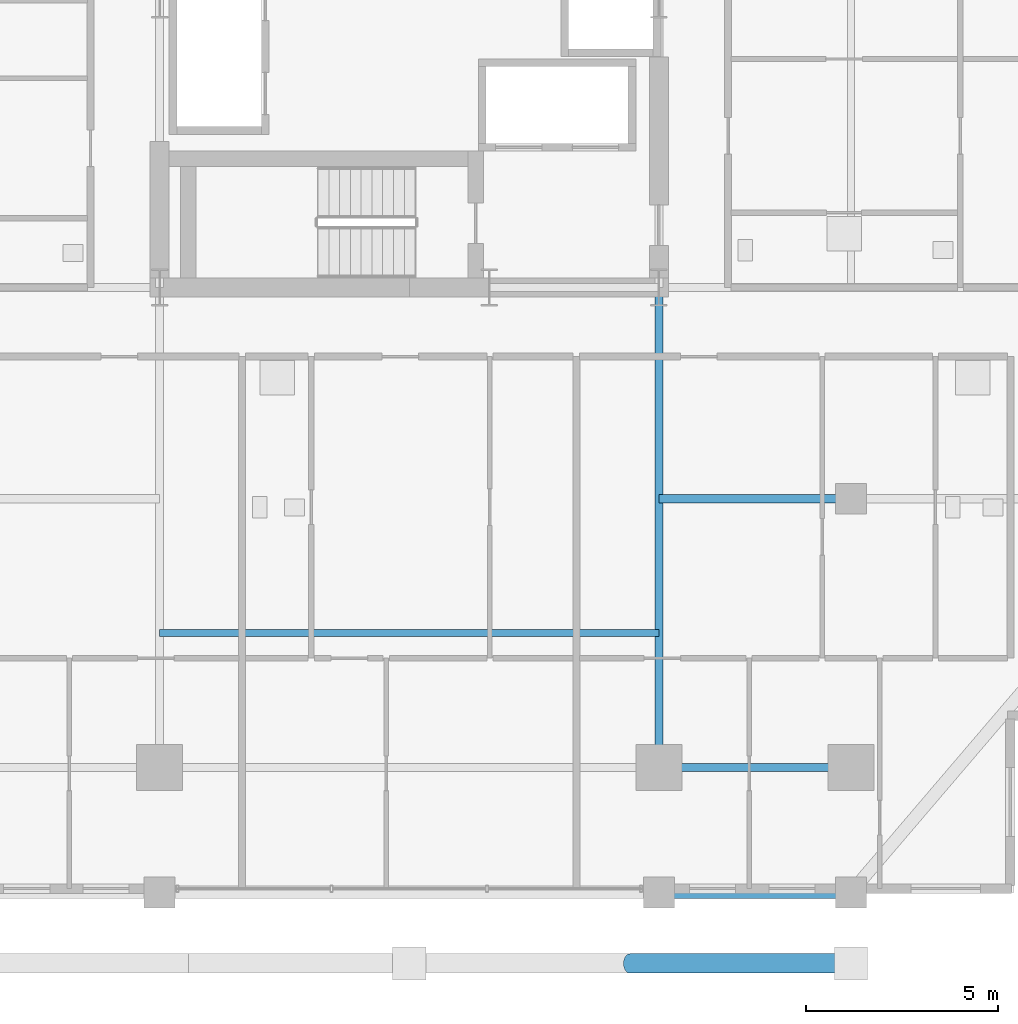
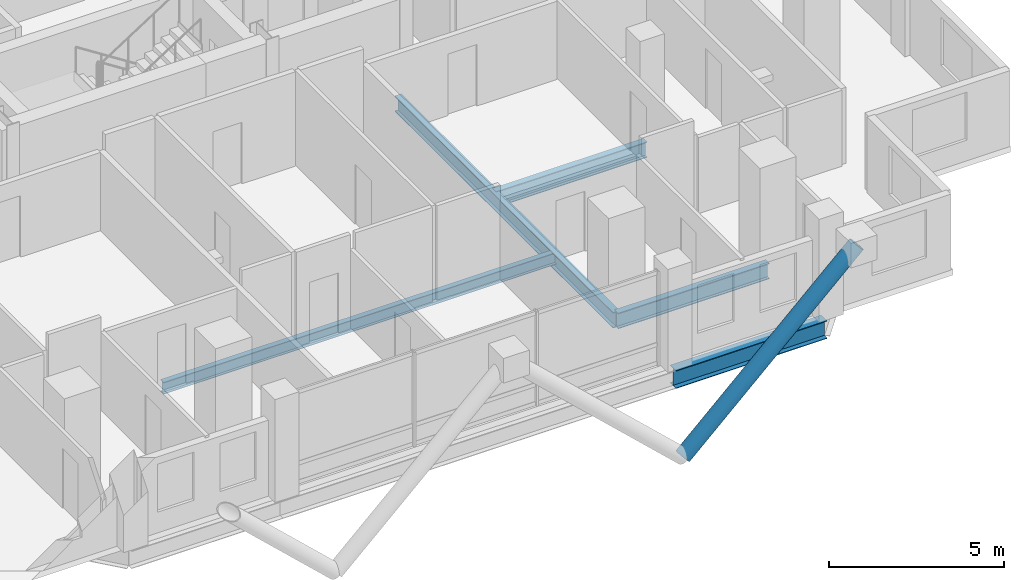
# One storey, part 3 of 23: 5 beams, 1 member.
"""IFC4 building model written with IfcOpenShell, lengths in metres."""

from ifc_helpers import new_model, si_unit, direction, frame, origin, origin_2d, place, context, subcontext, project, spatial, hollow_circle, i_section, extrude, material, material_profile, profile_set, type_object, element, save


model = new_model("IFC4")

# Units and contexts
model_context = context("Model", 3, precision=1e-05, world=origin(), true_north=direction((0.0, 1.0)))
body_context = subcontext(model_context, "Body", "Model", "MODEL_VIEW")
ifc_project = project(units=[si_unit("LENGTHUNIT", "METRE"), si_unit("AREAUNIT", "SQUARE_METRE"), si_unit("VOLUMEUNIT", "CUBIC_METRE"), si_unit("PLANEANGLEUNIT", "RADIAN"), si_unit("MASSUNIT", "GRAM", prefix="KILO")], contexts=[model_context])

# Site, building, storey
site_placement = place(None, origin())
site = spatial("IfcSite", under=ifc_project, at=site_placement, CompositionType="ELEMENT")
building_placement = place(site_placement, origin())
building = spatial("IfcBuilding", under=site, at=building_placement, Name="Barlavira Tower and Art Museum", CompositionType="ELEMENT")
storey_placement = place(building_placement, frame((0.0, 0.0, 117.0)))
storey = spatial("IfcBuildingStorey", under=building, at=storey_placement, Name="L29", CompositionType="ELEMENT", Elevation=117.0)

# Member
ifc_material = material(Name="Steel S355", Category="steel")
ifc_material_profile_1 = material_profile(ifc_material, hollow_circle(Radius=0.25390625, WallThickness=0.022216796875, at=origin_2d()), Name="CHS 508.0x22.2")
ifc_profile_set_1 = profile_set([ifc_material_profile_1], Name="Steel S355")
member_type = type_object("IfcMemberType", Name="Pale-Metal Exoskeleton Diagrid Tube CHS 508x22 Steel S355", PredefinedType="BRACE", material=ifc_profile_set_1)
member_placement = place(storey_placement, frame((5.75, -25.10009765625, -1.919921875), z_axis=(0.728950095515, 0.0, 0.684566839869), x_axis=(0.0, 1.0, 0.0)))
element("IfcMember", 1, at=member_placement, inside=storey, type_object=member_type, Name="L29 Exoskeleton Diagrid Tube S", PredefinedType="BRACE", context=body_context, shape_type="SweptSolid", body=[
    extrude(hollow_circle(Radius=0.25390625, WallThickness=0.022216796875, at=origin_2d()), origin(), (0.0, 0.0, 1.0), 7.887939453125),
])

# Beams
ifc_material_profile_2 = material_profile(ifc_material, i_section(OverallWidth=0.327880859375, OverallDepth=0.62890625, WebThickness=0.013916015625, FlangeThickness=0.021484375, at=origin_2d()), Name="W610x174.0")
ifc_profile_set_2 = profile_set([ifc_material_profile_2], Name="Steel S355")
beam_type_1 = type_object("IfcBeamType", Name="Perimeter Spandrel Edge Beam W610x174 Steel S355", PredefinedType="SPANDREL", material=ifc_profile_set_2)
beam_1_placement = place(storey_placement, frame((6.5, -23.25, -0.534423828125), z_axis=(1.0, 0.0, 0.0), x_axis=(0.0, 1.0, 0.0)))
element("IfcBeam", 2, at=beam_1_placement, inside=storey, type_object=beam_type_1, Name="L29 Spandrel 3", PredefinedType="SPANDREL", context=body_context, shape_type="SweptSolid", body=[
    extrude(i_section(OverallWidth=0.327880859375, OverallDepth=0.62890625, WebThickness=0.013916015625, FlangeThickness=0.021484375, at=origin_2d()), origin(), (0.0, 0.0, 1.0), 5.0),
])
ifc_material_profile_3 = material_profile(ifc_material, i_section(OverallWidth=0.214111328125, OverallDepth=0.549072265625, WebThickness=0.0146484375, FlangeThickness=0.023681640625, at=origin_2d()), Name="W530x138.0")
ifc_profile_set_3 = profile_set([ifc_material_profile_3], Name="Steel S355")
beam_type_2 = type_object("IfcBeamType", Name="Zone 1 Primary Floor Girder W530x138 Steel S355", PredefinedType="BEAM", material=ifc_profile_set_3)
beam_2_placement = place(storey_placement, frame((6.5, -20.0, -0.494384765625), z_axis=(1.0, 0.0, 0.0), x_axis=(0.0, 1.0, 0.0)))
element("IfcBeam", 3, at=beam_2_placement, inside=storey, type_object=beam_type_2, Name="L29 Girder M-S3", PredefinedType="BEAM", context=body_context, shape_type="SweptSolid", body=[
    extrude(i_section(OverallWidth=0.214111328125, OverallDepth=0.549072265625, WebThickness=0.0146484375, FlangeThickness=0.023681640625, at=origin_2d()), origin(), (0.0, 0.0, 1.0), 5.0),
])
beam_3_placement = place(storey_placement, frame((6.5, -20.0, -0.494384765625), z_axis=(0.0, 1.0, 0.0), x_axis=(-1.0, 0.0, 0.0)))
element("IfcBeam", 4, at=beam_3_placement, inside=storey, type_object=beam_type_2, Name="L29 Girder R-S2", PredefinedType="BEAM", context=body_context, shape_type="SweptSolid", body=[
    extrude(i_section(OverallWidth=0.214111328125, OverallDepth=0.549072265625, WebThickness=0.0146484375, FlangeThickness=0.023681640625, at=origin_2d()), origin(), (0.0, 0.0, 1.0), 12.5),
])
beam_4_placement = place(storey_placement, frame((6.5, -13.0, -0.494384765625), z_axis=(1.0, 0.0, 0.0), x_axis=(0.0, 1.0, 0.0)))
element("IfcBeam", 5, at=beam_4_placement, inside=storey, type_object=beam_type_2, Name="L29 Girder I-S3", PredefinedType="BEAM", context=body_context, shape_type="SweptSolid", body=[
    extrude(i_section(OverallWidth=0.214111328125, OverallDepth=0.549072265625, WebThickness=0.0146484375, FlangeThickness=0.023681640625, at=origin_2d()), origin(), (0.0, 0.0, 1.0), 5.0),
])
ifc_material_profile_4 = material_profile(ifc_material, i_section(OverallWidth=0.179931640625, OverallDepth=0.4130859375, WebThickness=0.009765625, FlangeThickness=0.01611328125, at=origin_2d()), Name="W410x75.0")
ifc_profile_set_4 = profile_set([ifc_material_profile_4], Name="Steel S355")
beam_type_3 = type_object("IfcBeamType", Name="Zone 2 Composite Floor Joist W410x75 Steel S355", PredefinedType="JOIST", material=ifc_profile_set_4)
beam_5_placement = place(storey_placement, frame((-6.5, -16.5, -0.426513671875), z_axis=(1.0, 0.0, 0.0), x_axis=(0.0, 1.0, 0.0)))
element("IfcBeam", 6, at=beam_5_placement, inside=storey, type_object=beam_type_3, Name="L29 Joist C1", PredefinedType="JOIST", context=body_context, shape_type="SweptSolid", body=[
    extrude(i_section(OverallWidth=0.179931640625, OverallDepth=0.4130859375, WebThickness=0.009765625, FlangeThickness=0.01611328125, at=origin_2d()), origin(), (0.0, 0.0, 1.0), 13.0),
])

save(model, "model.ifc")
